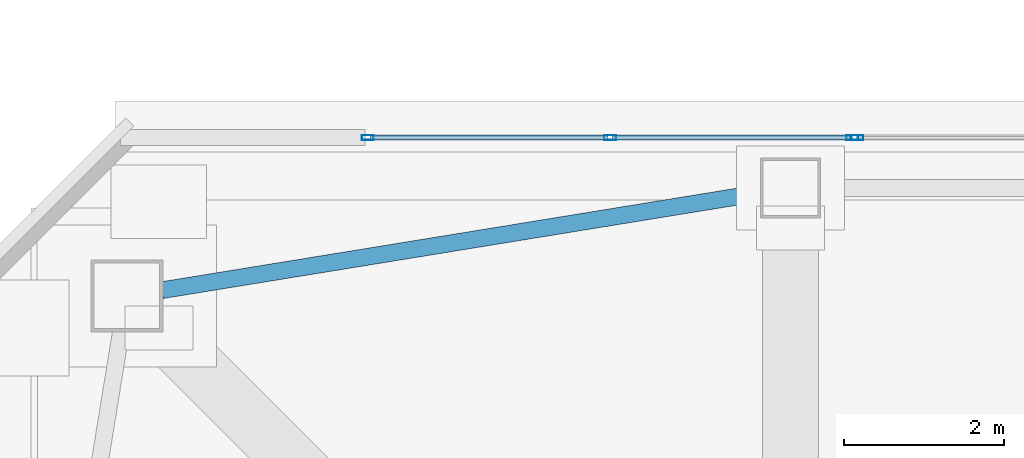
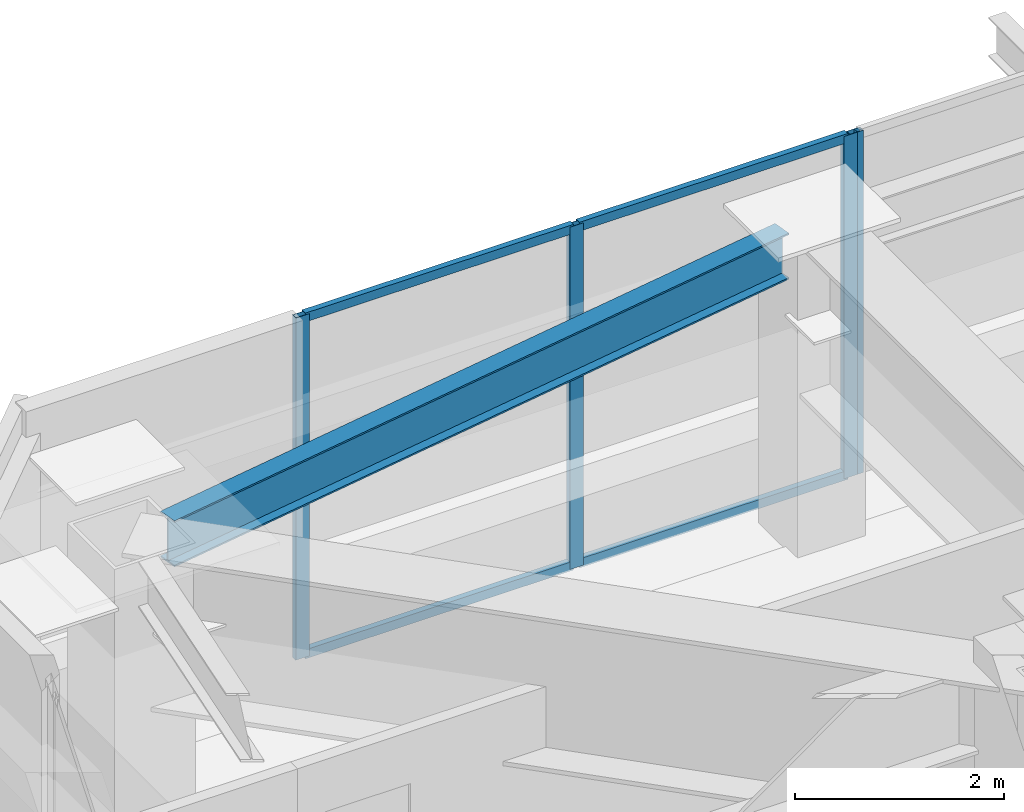
# One storey, part 17 of 51: 8 members, 1 beam, 2 elements without a shape of their own.
"""IFC4 building model written with IfcOpenShell, lengths in metres."""

from ifc_helpers import new_model, si_unit, direction, frame, origin, origin_2d, place, context, subcontext, project, spatial, hollow_rectangle, i_section, extrude, material, material_profile, profile_set, type_object, element, aggregate, save


model = new_model("IFC4")

# Units and contexts
model_context = context("Model", 3, precision=1e-05, world=origin(), true_north=direction((0.0, 1.0)))
body_context = subcontext(model_context, "Body", "Model", "MODEL_VIEW")
ifc_project = project(units=[si_unit("LENGTHUNIT", "METRE"), si_unit("AREAUNIT", "SQUARE_METRE"), si_unit("VOLUMEUNIT", "CUBIC_METRE"), si_unit("PLANEANGLEUNIT", "RADIAN"), si_unit("MASSUNIT", "GRAM", prefix="KILO")], contexts=[model_context])

# Site, building, storey
site_placement = place(None, origin())
site = spatial("IfcSite", under=ifc_project, at=site_placement, CompositionType="ELEMENT")
building_placement = place(site_placement, origin())
building = spatial("IfcBuilding", under=site, at=building_placement, Name="Tashvorn Skyway Center", CompositionType="ELEMENT")
storey_placement = place(building_placement, frame((0.0, 0.0, 259.39990234375)))
storey = spatial("IfcBuildingStorey", under=building, at=storey_placement, Name="L70", CompositionType="ELEMENT", Elevation=259.39990234375)

# Beam
ifc_material_1 = material(Name="Steel ASTM A992 Grade 50", Category="steel")
ifc_material_profile_1 = material_profile(ifc_material_1, i_section(OverallWidth=0.2109375, OverallDepth=0.5390625, WebThickness=0.01171875, FlangeThickness=0.018798828125, at=origin_2d()), Name="W21X73")
ifc_profile_set_1 = profile_set([ifc_material_profile_1], Name="Steel ASTM A992 Grade 50")
beam_type = type_object("IfcBeamType", Name="BM-SPANDREL-W21X73", PredefinedType="SPANDREL", material=ifc_profile_set_1)
beam_placement = place(storey_placement, frame((36.23486328125, 46.990478515625, 3.4306640625), z_axis=(-0.987032749583, -0.160519005885, 0.0), x_axis=(0.160519005885, -0.987032749583, 0.0)))
element("IfcBeam", 1, at=beam_placement, inside=storey, type_object=beam_type, Name="Tower 1 L70 Spandrel Beam 09", PredefinedType="SPANDREL", context=body_context, shape_type="SweptSolid", body=[
    extrude(i_section(OverallWidth=0.2109375, OverallDepth=0.5390625, WebThickness=0.01171875, FlangeThickness=0.018798828125, at=origin_2d()), origin(), (0.0, 0.0, 1.0), 7.593994140625),
])

# Curtain wall, members
ifc_material_2 = material(Name="Thermally broken bronze-anodized aluminium 6063-T6", Category="aluminium")
curtain_wall_type = type_object("IfcCurtainWallType", Name="CW-CW-SKY", PredefinedType="NOTDEFINED", material=ifc_material_2)
curtain_wall_1_placement = place(storey_placement, origin())
curtain_wall_1 = element("IfcCurtainWall", 2, at=curtain_wall_1_placement, inside=storey, type_object=curtain_wall_type, Name="Tower 1 L70 North Unitised Curtain Wall Glazing Group 1", PredefinedType="NOTDEFINED")
ifc_material_profile_2 = material_profile(ifc_material_2, hollow_rectangle(XDim=0.06494140625, YDim=0.14990234375, WallThickness=0.00390625, at=origin_2d()), Name="ALU-MULL-65x150")
ifc_profile_set_2 = profile_set([ifc_material_profile_2], Name="Thermally broken bronze-anodized aluminium 6063-T6")
member_type_1 = type_object("IfcMemberType", Name="CWM-CW-SKY", PredefinedType="MULLION", material=ifc_profile_set_2)
member_1_placement = place(storey_placement, frame((31.314697265625, 47.679931640625, 0.0), z_axis=(0.0, 0.0, 1.0), x_axis=(0.0, 1.0, 0.0)))
member_1 = element("IfcMember", 3, at=member_1_placement, type_object=member_type_1, Name="CW-SKY mullion 1", PredefinedType="MULLION", context=body_context, shape_type="SweptSolid", body=[
    extrude(hollow_rectangle(XDim=0.06494140625, YDim=0.14990234375, WallThickness=0.00390625, at=origin_2d()), origin(), (0.0, 0.0, 1.0), 4.0),
])
member_2_placement = place(storey_placement, frame((34.344482421875, 47.679931640625, 0.0), z_axis=(0.0, 0.0, 1.0), x_axis=(0.0, 1.0, 0.0)))
member_2 = element("IfcMember", 4, at=member_2_placement, type_object=member_type_1, Name="CW-SKY mullion 2", PredefinedType="MULLION", context=body_context, shape_type="SweptSolid", body=[
    extrude(hollow_rectangle(XDim=0.06494140625, YDim=0.14990234375, WallThickness=0.00390625, at=origin_2d()), origin(), (0.0, 0.0, 1.0), 4.0),
])
member_3_placement = place(storey_placement, frame((37.374267578125, 47.679931640625, 0.0), z_axis=(0.0, 0.0, 1.0), x_axis=(0.0, 1.0, 0.0)))
member_3 = element("IfcMember", 5, at=member_3_placement, type_object=member_type_1, Name="CW-SKY mullion 3", PredefinedType="MULLION", context=body_context, shape_type="SweptSolid", body=[
    extrude(hollow_rectangle(XDim=0.06494140625, YDim=0.14990234375, WallThickness=0.00390625, at=origin_2d()), origin(), (0.0, 0.0, 1.0), 4.0),
])

# Curtain wall, member
curtain_wall_2_placement = place(storey_placement, origin())
curtain_wall_2 = element("IfcCurtainWall", 6, at=curtain_wall_2_placement, inside=storey, type_object=curtain_wall_type, Name="Tower 1 L70 North Unitised Curtain Wall Glazing Group 2", PredefinedType="NOTDEFINED")
member_4_placement = place(storey_placement, frame((37.439208984375, 47.679931640625, 0.0), z_axis=(0.0, 0.0, 1.0), x_axis=(0.0, 1.0, 0.0)))
member_4 = element("IfcMember", 7, at=member_4_placement, type_object=member_type_1, Name="CW-SKY mullion 1", PredefinedType="MULLION", context=body_context, shape_type="SweptSolid", body=[
    extrude(hollow_rectangle(XDim=0.06494140625, YDim=0.14990234375, WallThickness=0.00390625, at=origin_2d()), origin(), (0.0, 0.0, 1.0), 4.0),
])
aggregate(curtain_wall_2, [member_4])

# Member
ifc_material_profile_3 = material_profile(ifc_material_2, hollow_rectangle(XDim=0.06494140625, YDim=0.10498046875, WallThickness=0.00390625, at=origin_2d()), Name="ALU-TRAN-65x105")
ifc_profile_set_3 = profile_set([ifc_material_profile_3], Name="Thermally broken bronze-anodized aluminium 6063-T6")
member_type_2 = type_object("IfcMemberType", Name="CWT-CW-SKY", PredefinedType="USERDEFINED", material=ifc_profile_set_3)
member_5_placement = place(storey_placement, frame((31.34716796875, 47.679931640625, 0.03271484375), z_axis=(1.0, 0.0, 0.0), x_axis=(0.0, 1.0, 0.0)))
member_5 = element("IfcMember", 8, at=member_5_placement, type_object=member_type_2, Name="CW-SKY transom 1.1", ObjectType="TRANSOM", PredefinedType="USERDEFINED", context=body_context, shape_type="SweptSolid", body=[
    extrude(hollow_rectangle(XDim=0.06494140625, YDim=0.10498046875, WallThickness=0.00390625, at=origin_2d()), origin(), (0.0, 0.0, 1.0), 2.96484375),
])

member_6_placement = place(storey_placement, frame((31.34716796875, 47.679931640625, 3.967529296875), z_axis=(1.0, 0.0, 0.0), x_axis=(0.0, 1.0, 0.0)))
member_6 = element("IfcMember", 9, at=member_6_placement, type_object=member_type_2, Name="CW-SKY transom 1.2", ObjectType="TRANSOM", PredefinedType="USERDEFINED", context=body_context, shape_type="SweptSolid", body=[
    extrude(hollow_rectangle(XDim=0.06494140625, YDim=0.10498046875, WallThickness=0.00390625, at=origin_2d()), origin(), (0.0, 0.0, 1.0), 2.96484375),
])

member_7_placement = place(storey_placement, frame((34.376953125, 47.679931640625, 0.03271484375), z_axis=(1.0, 0.0, 0.0), x_axis=(0.0, 1.0, 0.0)))
member_7 = element("IfcMember", 10, at=member_7_placement, type_object=member_type_2, Name="CW-SKY transom 2.1", ObjectType="TRANSOM", PredefinedType="USERDEFINED", context=body_context, shape_type="SweptSolid", body=[
    extrude(hollow_rectangle(XDim=0.06494140625, YDim=0.10498046875, WallThickness=0.00390625, at=origin_2d()), origin(), (0.0, 0.0, 1.0), 2.96484375),
])

member_8_placement = place(storey_placement, frame((34.376953125, 47.679931640625, 3.967529296875), z_axis=(1.0, 0.0, 0.0), x_axis=(0.0, 1.0, 0.0)))
member_8 = element("IfcMember", 11, at=member_8_placement, type_object=member_type_2, Name="CW-SKY transom 2.2", ObjectType="TRANSOM", PredefinedType="USERDEFINED", context=body_context, shape_type="SweptSolid", body=[
    extrude(hollow_rectangle(XDim=0.06494140625, YDim=0.10498046875, WallThickness=0.00390625, at=origin_2d()), origin(), (0.0, 0.0, 1.0), 2.96484375),
])

aggregate(curtain_wall_1, [member_1, member_2, member_3, member_5, member_6, member_7, member_8])

save(model, "model.ifc")
